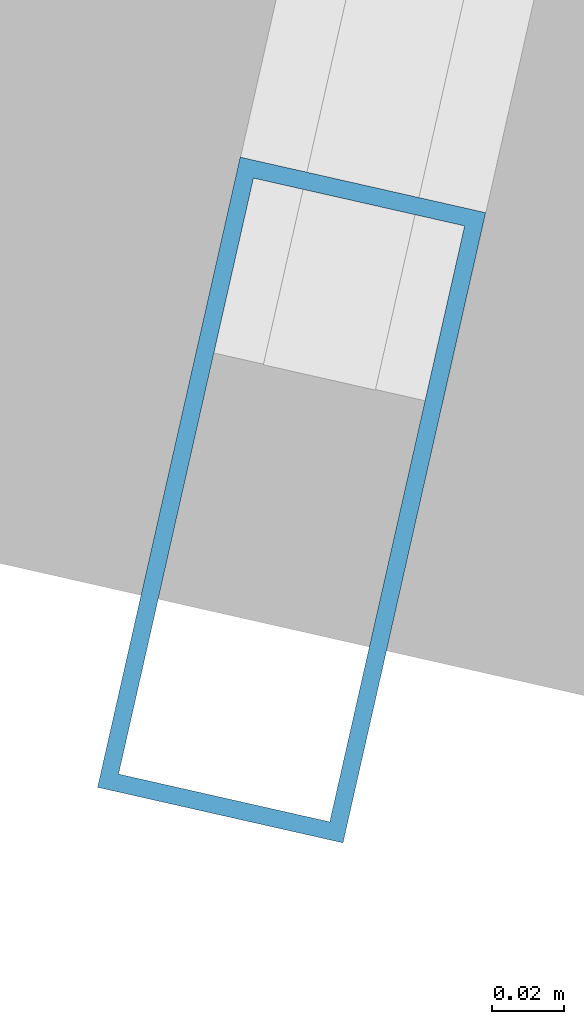
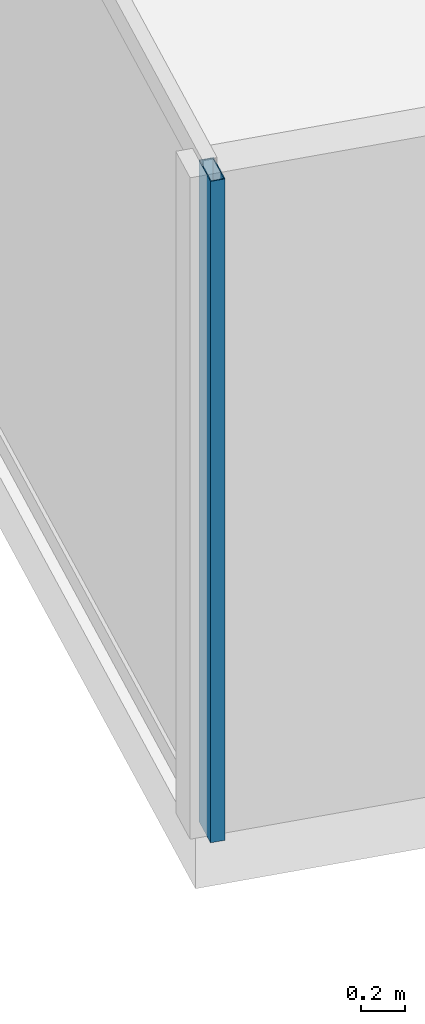
# One storey, part 3 of 27: 1 member, 1 element without a shape of its own.
"""IFC4 building model written with IfcOpenShell, lengths in metres."""

from ifc_helpers import new_model, si_unit, direction, frame, origin, origin_2d, place, context, subcontext, project, spatial, hollow_rectangle, extrude, source, transform, mapped, material, material_profile, profile_set, type_object, type_shapes, element, aggregate, save


model = new_model("IFC4")

# Units and contexts
model_context = context("Model", 3, precision=1e-05, world=origin(), true_north=direction((0.0, 1.0)))
body_context = subcontext(model_context, "Body", "Model", "MODEL_VIEW")
ifc_project = project(units=[si_unit("LENGTHUNIT", "METRE"), si_unit("AREAUNIT", "SQUARE_METRE"), si_unit("VOLUMEUNIT", "CUBIC_METRE"), si_unit("PLANEANGLEUNIT", "RADIAN"), si_unit("MASSUNIT", "GRAM", prefix="KILO")], contexts=[model_context])

# Site, building, storey
site_placement = place(None, origin())
site = spatial("IfcSite", under=ifc_project, at=site_placement, CompositionType="ELEMENT")
building_placement = place(site_placement, origin())
building = spatial("IfcBuilding", under=site, at=building_placement, Name="Krantzveldt Concourse Tower", CompositionType="ELEMENT")
storey_placement = place(building_placement, frame((0.0, 0.0, 86.10009765625)))
storey = spatial("IfcBuildingStorey", under=building, at=storey_placement, Name="L20", CompositionType="ELEMENT", Elevation=86.10009765625)

# Curtain wall, member
ifc_material = material(Name="Anodised aluminium 6063-T6", Category="aluminium")
curtain_wall_type = type_object("IfcCurtainWallType", Name="CW2", PredefinedType="USERDEFINED", material=ifc_material)
curtain_wall_placement = place(storey_placement, origin())
curtain_wall = element("IfcCurtainWall", 1, at=curtain_wall_placement, inside=storey, type_object=curtain_wall_type, Name="CW-L20-F01", ObjectType="UNITISED CURTAIN WALL", PredefinedType="USERDEFINED")
ifc_material_profile = material_profile(ifc_material, hollow_rectangle(XDim=0.070068359375, YDim=0.179931640625, WallThickness=0.0048828125, at=origin_2d()), Name="Anodised aluminium 6063-T6", Category="aluminium")
ifc_profile_set = profile_set([ifc_material_profile], Name="Anodised aluminium 6063-T6 - ALU-MULL 180x70x5")
member_type = type_object("IfcMemberType", Name="CW-MUL-180", PredefinedType="MULLION", material=ifc_profile_set)
shared_shape = source(origin(), body_context, "Body", "SweptSolid", [
    extrude(hollow_rectangle(XDim=0.070068359375, YDim=0.179931640625, WallThickness=0.0048828125, at=origin_2d()), origin(), (0.0, 0.0, 1.0), 3.669921875),
])
type_shapes(member_type, [shared_shape])
member_placement = place(storey_placement, frame((8.990966796875, 12.95703125, 0.0), z_axis=(0.0, 0.0, 1.0), x_axis=(0.975342320609, -0.220697434579, 0.0)))
member = element("IfcMember", 2, at=member_placement, type_object=member_type, Name="CW-Z12 mullion 7", PredefinedType="MULLION", context=body_context, shape_type="MappedRepresentation", body=[
    mapped(shared_shape, transform((0.0, 0.0, 0.0), x_axis=(1.0, 0.0, 0.0), y_axis=(0.0, 1.0, 0.0), z_axis=(0.0, 0.0, 1.0), scale=1.0)),
])
aggregate(curtain_wall, [member])

save(model, "model.ifc")
